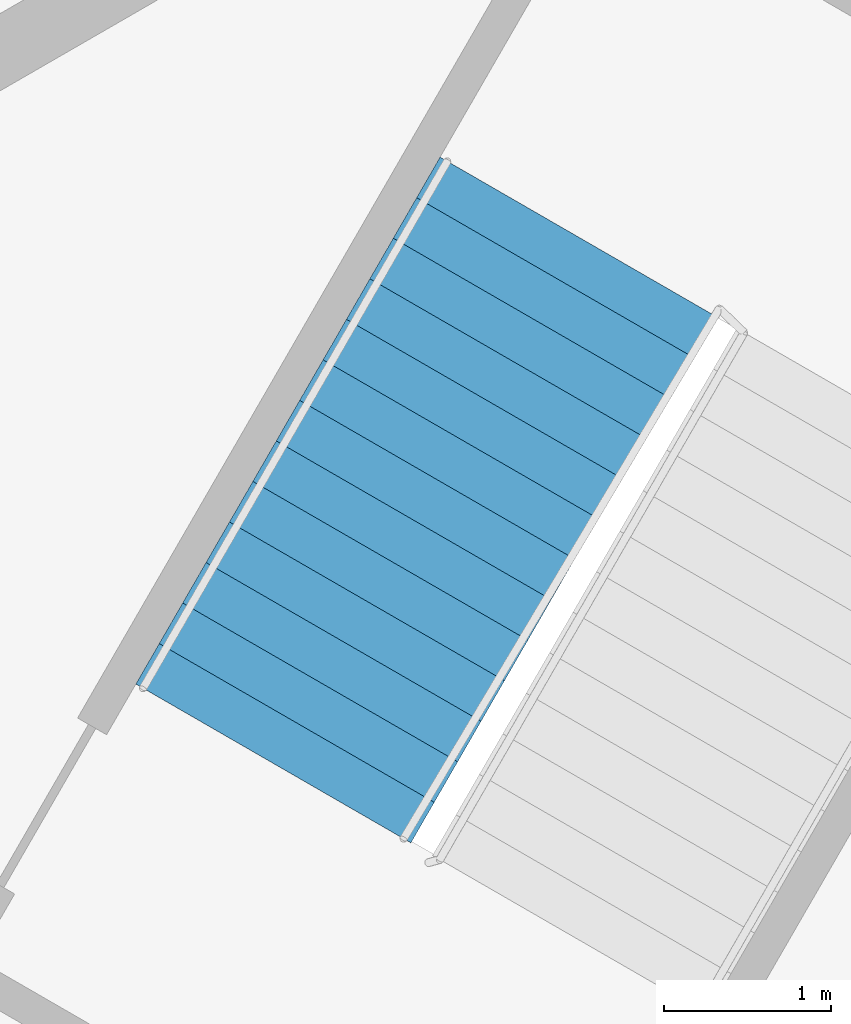
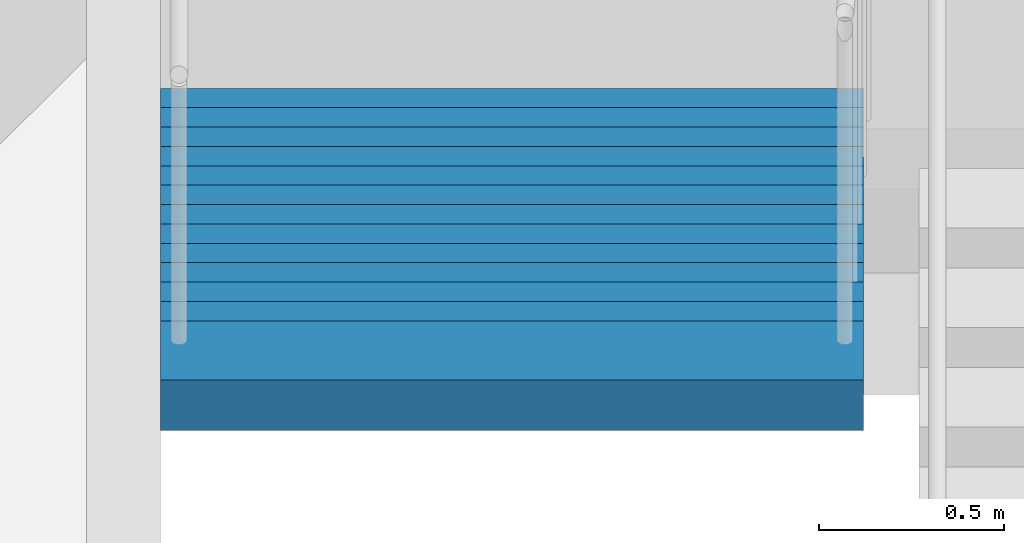
# One storey, part 6 of 10: 1 stair flight, 1 element without a shape of its own.
"""IFC4 building model written with IfcOpenShell, lengths in metres."""

from ifc_helpers import new_model, si_unit, direction, frame, origin, place, context, subcontext, project, spatial, polyline, outline, extrude, material, type_object, element, aggregate, save


model = new_model("IFC4")

# Units and contexts
model_context = context("Model", 3, precision=1e-05, world=origin(), true_north=direction((0.0, 1.0)))
body_context = subcontext(model_context, "Body", "Model", "MODEL_VIEW")
ifc_project = project(units=[si_unit("LENGTHUNIT", "METRE"), si_unit("AREAUNIT", "SQUARE_METRE"), si_unit("VOLUMEUNIT", "CUBIC_METRE"), si_unit("PLANEANGLEUNIT", "RADIAN"), si_unit("MASSUNIT", "GRAM", prefix="KILO")], contexts=[model_context])

# Site, building, storey
site_placement = place(None, origin())
site = spatial("IfcSite", under=ifc_project, at=site_placement, CompositionType="ELEMENT")
building_placement = place(site_placement, origin())
building = spatial("IfcBuilding", under=site, at=building_placement, Name="Jabali Bay Hotel Tower and Convention Centre", CompositionType="ELEMENT")
storey_placement = place(building_placement, frame((0.0, 0.0, 266.39990234375)))
storey = spatial("IfcBuildingStorey", under=building, at=storey_placement, Name="L65", CompositionType="ELEMENT", Elevation=266.39990234375)

# Stair, stair flight
ifc_material = material(Name="Concrete C40", Category="concrete")
stair_type = type_object("IfcStairType", Name="Exit stair 1900", PredefinedType="HALF_TURN_STAIR", material=ifc_material)
stair_placement = place(storey_placement, origin())
stair = element("IfcStair", 1, at=stair_placement, inside=storey, type_object=stair_type, Name="L65 Exit Stair 2", PredefinedType="HALF_TURN_STAIR")
stair_flight_type = type_object("IfcStairFlightType", Name="Stair flight concrete 150", PredefinedType="STRAIGHT", material=ifc_material)
stair_flight_placement = place(storey_placement, frame((85.222412109375, 99.755615234375, 1.85009765625), z_axis=(0.0, 0.0, 1.0), x_axis=(-0.5, -0.866025403784, 0.0)))
stair_flight = element("IfcStairFlight", 2, at=stair_flight_placement, type_object=stair_flight_type, Name="ST2 flight 2", NumberOfRisers=14, NumberOfTreads=13, PredefinedType="STRAIGHT", RiserHeight=0.132142857, TreadLength=0.28, context=body_context, shape_type="SweptSolid", body=[
    extrude(outline(polyline([(0.0, 0.0), (0.0, 0.132080078125), (0.280029296875, 0.132080078125), (0.280029296875, 0.264404296875), (0.56005859375, 0.264404296875), (0.56005859375, 0.396484375), (0.840087890625, 0.396484375), (0.840087890625, 0.528564453125), (1.1201171875, 0.528564453125), (1.1201171875, 0.66064453125), (1.39990234375, 0.66064453125), (1.39990234375, 0.79296875), (1.679931640625, 0.79296875), (1.679931640625, 0.925048828125), (1.9599609375, 0.925048828125), (1.9599609375, 1.05712890625), (2.239990234375, 1.05712890625), (2.239990234375, 1.189208984375), (2.52001953125, 1.189208984375), (2.52001953125, 1.321533203125), (2.800048828125, 1.321533203125), (2.800048828125, 1.45361328125), (3.080078125, 1.45361328125), (3.080078125, 1.585693359375), (3.360107421875, 1.585693359375), (3.360107421875, 1.7177734375), (3.639892578125, 1.7177734375), (3.639892578125, 1.85009765625), (3.639892578125, 1.552001953125), (0.351318359375, 0.0), (0.0, 0.0)])), frame((0.0, 0.949951171875, 0.0), z_axis=(0.0, -1.0, 0.0), x_axis=(1.0, 0.0, 0.0)), (0.0, 0.0, 1.0), 1.89990234375),
])
aggregate(stair, [stair_flight])

save(model, "model.ifc")
